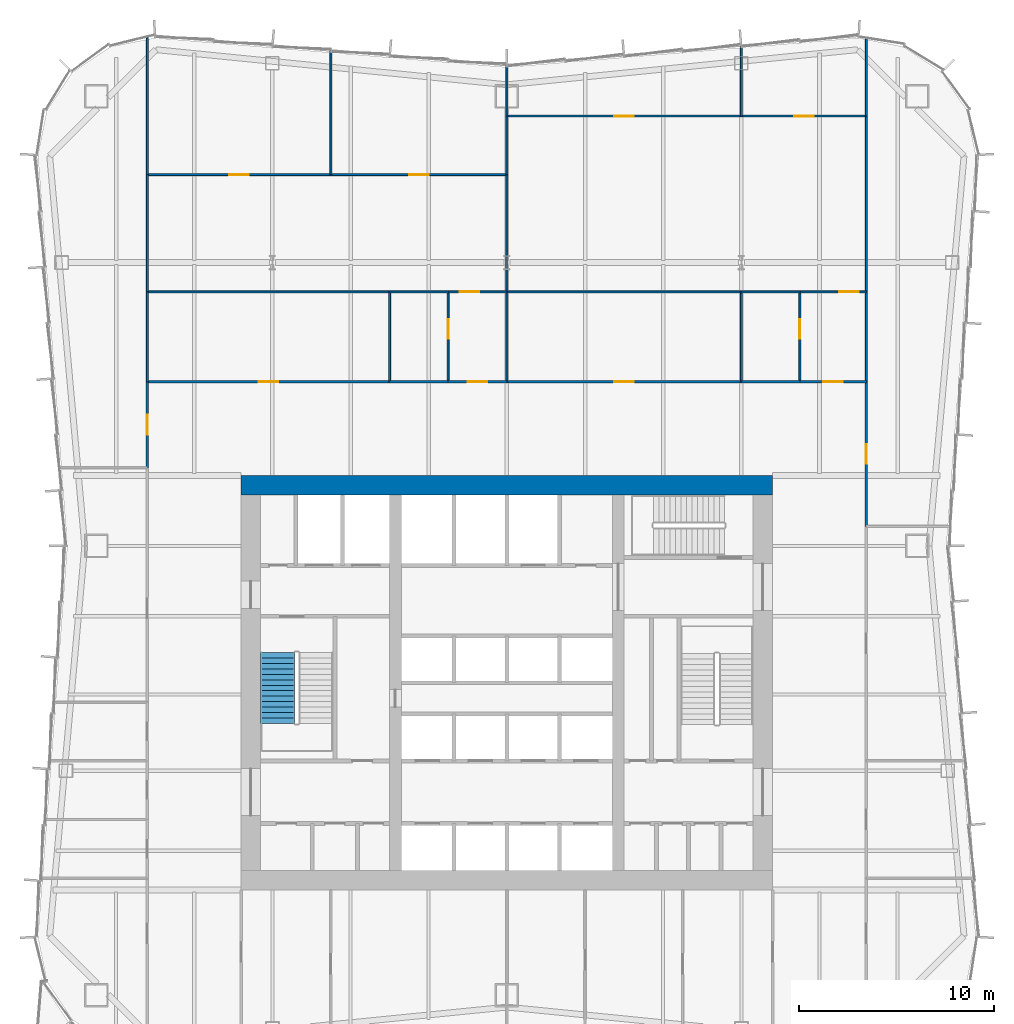
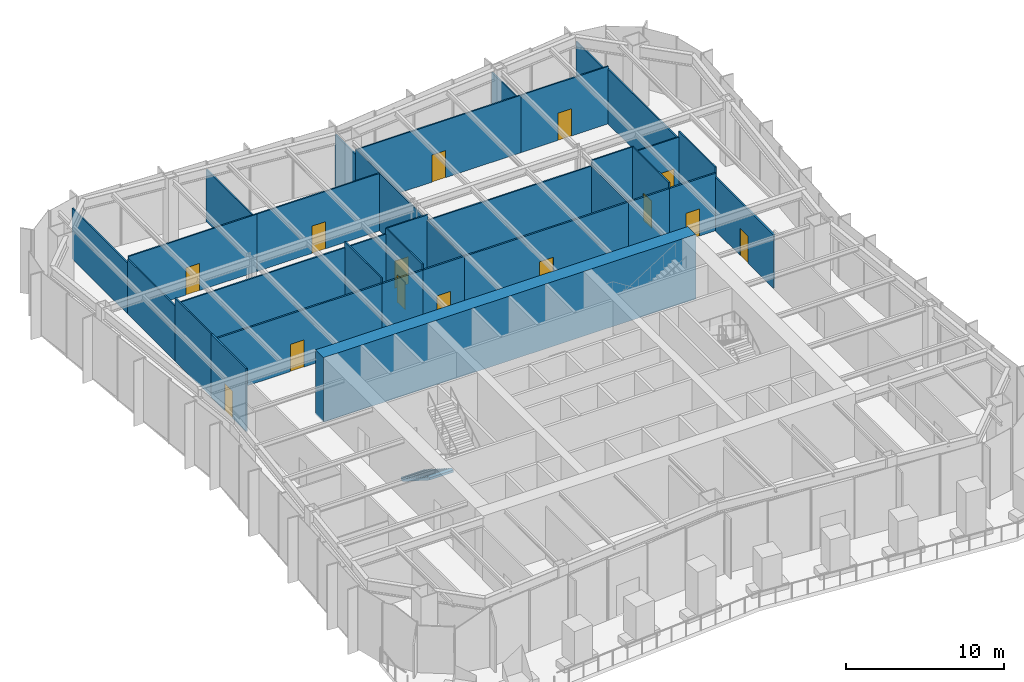
# One storey, part 11 of 15: 35 walls, 14 doors, 1 stair flight, 14 openings, 1 element without a shape of its own.
"""IFC4 building model written with IfcOpenShell, lengths in metres."""

from ifc_helpers import new_model, si_unit, direction, frame, frame_2d, origin, place, context, subcontext, project, spatial, polyline, rectangle, outline, extrude, material, layer, layer_set, type_object, element, fill, aggregate, save


model = new_model("IFC4")

# Units and contexts
model_context = context("Model", 3, precision=1e-05, world=origin(), true_north=direction((0.0, 1.0)))
body_context = subcontext(model_context, "Body", "Model", "MODEL_VIEW")
ifc_project = project(units=[si_unit("LENGTHUNIT", "METRE"), si_unit("AREAUNIT", "SQUARE_METRE"), si_unit("VOLUMEUNIT", "CUBIC_METRE"), si_unit("PLANEANGLEUNIT", "RADIAN"), si_unit("MASSUNIT", "GRAM", prefix="KILO")], contexts=[model_context])

# Site, building, storey
site_placement = place(None, origin())
site = spatial("IfcSite", under=ifc_project, at=site_placement, CompositionType="ELEMENT")
building_placement = place(site_placement, origin())
building = spatial("IfcBuilding", under=site, at=building_placement, Name="Verdant Reach Tower", CompositionType="ELEMENT")
storey_placement = place(building_placement, frame((0.0, 0.0, 121.0)))
storey = spatial("IfcBuildingStorey", under=building, at=storey_placement, Name="L27", CompositionType="ELEMENT", Elevation=121.0)

# Walls
ifc_material_1 = material(Name="Gypsum board on steel studs", Category="steel")
ifc_layer_1 = layer(ifc_material_1, 0.10009765625)
ifc_layer_set_1 = layer_set([ifc_layer_1], Name="FL-W1 Partition 100")
wall_type_1 = type_object("IfcWallType", Name="FL-W1 Partition 100", PredefinedType="PARTITIONING", material=ifc_layer_set_1)
wall_1_placement = place(storey_placement, frame((-18.39990234375, 43.39990234375, 0.0), z_axis=(0.0, 0.0, 1.0), x_axis=(0.0, 1.0, 0.0)))
element("IfcWall", 1, at=wall_1_placement, inside=storey, type_object=wall_type_1, Name="Partition 27.24", PredefinedType="PARTITIONING", context=body_context, shape_type="SweptSolid", body=[
    extrude(rectangle(XDim=4.60009765625, YDim=0.10009765625, at=frame_2d((2.300048828125, 0.0))), origin(), (0.0, 0.0, 1.0), 4.8701171875),
])
wall_2_placement = place(storey_placement, frame((-18.39990234375, 48.0, 0.0), z_axis=(0.0, 0.0, 1.0), x_axis=(0.0, 1.0, 0.0)))
element("IfcWall", 2, at=wall_2_placement, inside=storey, type_object=wall_type_1, Name="Partition 27.25", PredefinedType="PARTITIONING", context=body_context, shape_type="SweptSolid", body=[
    extrude(rectangle(XDim=6.0, YDim=0.10009765625, at=frame_2d((3.0, 0.0))), origin(), (0.0, 0.0, 1.0), 4.239990234375),
])
wall_3_placement = place(storey_placement, frame((-18.39990234375, 54.0, 0.0), z_axis=(0.0, 0.0, 1.0), x_axis=(0.0, 1.0, 0.0)))
element("IfcWall", 3, at=wall_3_placement, inside=storey, type_object=wall_type_1, Name="Partition 27.26", PredefinedType="PARTITIONING", context=body_context, shape_type="SweptSolid", body=[
    extrude(rectangle(XDim=7.00048828125, YDim=0.10009765625, at=frame_2d((3.500244140625, 0.0))), origin(), (0.0, 0.0, 1.0), 3.929931640625),
])
wall_4_placement = place(storey_placement, frame((18.39990234375, 48.0, 0.0), z_axis=(0.0, 0.0, 1.0), x_axis=(0.0, -1.0, 0.0)))
element("IfcWall", 4, at=wall_4_placement, inside=storey, type_object=wall_type_1, Name="Partition 27.30", PredefinedType="PARTITIONING", context=body_context, shape_type="SweptSolid", body=[
    extrude(rectangle(XDim=4.60009765625, YDim=0.10009765625, at=frame_2d((2.300048828125, 0.0))), origin(), (0.0, 0.0, 1.0), 4.8701171875),
])
wall_5_placement = place(storey_placement, frame((18.39990234375, 57.0, 0.0), z_axis=(0.0, 0.0, 1.0), x_axis=(0.0, -1.0, 0.0)))
element("IfcWall", 5, at=wall_5_placement, inside=storey, type_object=wall_type_1, Name="Partition 27.31", PredefinedType="PARTITIONING", context=body_context, shape_type="SweptSolid", body=[
    extrude(rectangle(XDim=9.0, YDim=0.10009765625, at=frame_2d((4.5, 0.0))), origin(), (0.0, 0.0, 1.0), 4.239990234375),
])
wall_6_placement = place(storey_placement, frame((18.39990234375, 61.00048828125, 0.0), z_axis=(0.0, 0.0, 1.0), x_axis=(0.0, -1.0, 0.0)))
element("IfcWall", 6, at=wall_6_placement, inside=storey, type_object=wall_type_1, Name="Partition 27.32", PredefinedType="PARTITIONING", context=body_context, shape_type="SweptSolid", body=[
    extrude(rectangle(XDim=4.00048828125, YDim=0.10009765625, at=frame_2d((2.000244140625, 0.0))), origin(), (0.0, 0.0, 1.0), 3.929931640625),
])
wall_7_placement = place(storey_placement, frame((-6.0, 43.39990234375, 0.0), z_axis=(0.0, 0.0, 1.0), x_axis=(0.0, 1.0, 0.0)))
element("IfcWall", 7, at=wall_7_placement, inside=storey, type_object=wall_type_1, Name="Partition 27.37", PredefinedType="PARTITIONING", context=body_context, shape_type="SweptSolid", body=[
    extrude(rectangle(XDim=4.60009765625, YDim=0.10009765625, at=frame_2d((2.300048828125, 0.0))), origin(), (0.0, 0.0, 1.0), 4.8701171875),
])
wall_8_placement = place(storey_placement, frame((-5.99609375, 48.0, 0.0), z_axis=(0.0, 0.0, 1.0), x_axis=(-1.0, 0.0, 0.0)))
element("IfcWall", 8, at=wall_8_placement, inside=storey, type_object=wall_type_1, Name="Partition 27.38", PredefinedType="PARTITIONING", context=body_context, shape_type="SweptSolid", body=[
    extrude(rectangle(XDim=12.40380859375, YDim=0.10009765625, at=frame_2d((6.201904296875, 0.0))), origin(), (0.0, 0.0, 1.0), 4.43994140625),
])

# Wall, opening, door
wall_9_placement = place(storey_placement, frame((-3.0, 43.39990234375, 0.0), z_axis=(0.0, 0.0, 1.0), x_axis=(0.0, 1.0, 0.0)))
wall_9 = element("IfcWall", 9, at=wall_9_placement, inside=storey, type_object=wall_type_1, Name="Partition 27.39", PredefinedType="PARTITIONING", context=body_context, shape_type="SweptSolid", body=[
    extrude(rectangle(XDim=4.60009765625, YDim=0.10009765625, at=frame_2d((2.300048828125, 0.0))), origin(), (0.0, 0.0, 1.0), 4.8701171875),
])
opening_1_placement = place(wall_9_placement, frame((2.199951171875, 0.0, 0.0)))
opening_1 = element("IfcOpeningElement", 10, at=opening_1_placement, cuts=wall_9, Name="Opening D3", PredefinedType="OPENING", context=body_context, shape_type="SweptSolid", body=[
    extrude(rectangle(XDim=1.0, YDim=2.10009765625, at=frame_2d((0.5, 1.050048828125))), frame((0.0, 0.06005859375, 0.0), z_axis=(0.0, -1.0, 0.0), x_axis=(1.0, 0.0, 0.0)), (0.0, 0.0, 1.0), 0.1201171875),
])
ifc_material_2 = material(Name="Painted timber door leaf", Category="wood")
door_type_1 = type_object("IfcDoorType", Name="FL-D3 Door 1000x2100", OperationType="NOTDEFINED", PredefinedType="DOOR", material=ifc_material_2)
door_1_placement = place(opening_1_placement, origin())
door_1 = element("IfcDoor", 11, at=door_1_placement, inside=storey, type_object=door_type_1, Name="Door 27-020", OperationType="SINGLE_SWING_RIGHT", OverallHeight=2.10009765625, OverallWidth=1.0, PredefinedType="DOOR", context=body_context, shape_type="SweptSolid", body=[
    extrude(rectangle(XDim=1.0, YDim=2.10009765625, at=frame_2d((0.5, 1.050048828125))), frame((0.0, 0.02490234375, 0.0), z_axis=(0.0, -1.0, 0.0), x_axis=(1.0, 0.0, 0.0)), (0.0, 0.0, 1.0), 0.050048828125),
])
fill(opening_1, door_1)

# Wall
wall_10_placement = place(storey_placement, frame((-2.99609375, 48.0, 0.0), z_axis=(0.0, 0.0, 1.0), x_axis=(-1.0, 0.0, 0.0)))
element("IfcWall", 12, at=wall_10_placement, inside=storey, type_object=wall_type_1, Name="Partition 27.40", PredefinedType="PARTITIONING", context=body_context, shape_type="SweptSolid", body=[
    extrude(rectangle(XDim=3.0078125, YDim=0.10009765625, at=frame_2d((1.50390625, 0.0))), origin(), (0.0, 0.0, 1.0), 4.43994140625),
])

# Wall, opening, door
wall_11_placement = place(storey_placement, frame((-3.00390625, 48.0, 0.0), z_axis=(0.0, 0.0, 1.0), x_axis=(1.0, 0.0, 0.0)))
wall_11 = element("IfcWall", 13, at=wall_11_placement, inside=storey, type_object=wall_type_1, Name="Partition 27.41", PredefinedType="PARTITIONING", context=body_context, shape_type="SweptSolid", body=[
    extrude(rectangle(XDim=3.00390625, YDim=0.10009765625, at=frame_2d((1.501953125, 0.0))), origin(), (0.0, 0.0, 1.0), 4.8701171875),
])
opening_2_placement = place(wall_11_placement, frame((0.60205078125, 0.0, 0.0)))
opening_2 = element("IfcOpeningElement", 14, at=opening_2_placement, cuts=wall_11, Name="Opening D3", PredefinedType="OPENING", context=body_context, shape_type="SweptSolid", body=[
    extrude(rectangle(XDim=1.0, YDim=2.10009765625, at=frame_2d((0.5, 1.050048828125))), frame((0.0, 0.06005859375, 0.0), z_axis=(0.0, -1.0, 0.0), x_axis=(1.0, 0.0, 0.0)), (0.0, 0.0, 1.0), 0.1201171875),
])
door_2_placement = place(opening_2_placement, origin())
door_2 = element("IfcDoor", 15, at=door_2_placement, inside=storey, type_object=door_type_1, Name="Door 27-021", OperationType="SINGLE_SWING_LEFT", OverallHeight=2.10009765625, OverallWidth=1.0, PredefinedType="DOOR", context=body_context, shape_type="SweptSolid", body=[
    extrude(rectangle(XDim=1.0, YDim=2.10009765625, at=frame_2d((0.5, 1.050048828125))), frame((0.0, 0.02490234375, 0.0), z_axis=(0.0, -1.0, 0.0), x_axis=(1.0, 0.0, 0.0)), (0.0, 0.0, 1.0), 0.050048828125),
])
fill(opening_2, door_2)

# Wall
wall_12_placement = place(storey_placement, frame((0.0, 43.39990234375, 0.0), z_axis=(0.0, 0.0, 1.0), x_axis=(0.0, 1.0, 0.0)))
element("IfcWall", 16, at=wall_12_placement, inside=storey, type_object=wall_type_1, Name="Partition 27.42", PredefinedType="PARTITIONING", context=body_context, shape_type="SweptSolid", body=[
    extrude(rectangle(XDim=4.60009765625, YDim=0.10009765625, at=frame_2d((2.300048828125, 0.0))), origin(), (0.0, 0.0, 1.0), 4.43994140625),
])

# Wall, opening, door
wall_13_placement = place(storey_placement, frame((-18.39990234375, 54.0, 0.0), z_axis=(0.0, 0.0, 1.0), x_axis=(1.0, 0.0, 0.0)))
wall_13 = element("IfcWall", 17, at=wall_13_placement, inside=storey, type_object=wall_type_1, Name="Partition 27.43", PredefinedType="PARTITIONING", context=body_context, shape_type="SweptSolid", body=[
    extrude(rectangle(XDim=9.39990234375, YDim=0.10009765625, at=frame_2d((4.699951171875, 0.0))), origin(), (0.0, 0.0, 1.0), 4.43994140625),
])
opening_3_placement = place(wall_13_placement, frame((4.199951171875, 0.0, 0.0)))
opening_3 = element("IfcOpeningElement", 18, at=opening_3_placement, cuts=wall_13, Name="Opening D3", PredefinedType="OPENING", context=body_context, shape_type="SweptSolid", body=[
    extrude(rectangle(XDim=1.0, YDim=2.10009765625, at=frame_2d((0.5, 1.050048828125))), frame((0.0, 0.06005859375, 0.0), z_axis=(0.0, -1.0, 0.0), x_axis=(1.0, 0.0, 0.0)), (0.0, 0.0, 1.0), 0.1201171875),
])
door_3_placement = place(opening_3_placement, origin())
door_3 = element("IfcDoor", 19, at=door_3_placement, inside=storey, type_object=door_type_1, Name="Door 27-022", OperationType="SINGLE_SWING_RIGHT", OverallHeight=2.10009765625, OverallWidth=1.0, PredefinedType="DOOR", context=body_context, shape_type="SweptSolid", body=[
    extrude(rectangle(XDim=1.0, YDim=2.10009765625, at=frame_2d((0.5, 1.050048828125))), frame((0.0, 0.02490234375, 0.0), z_axis=(0.0, -1.0, 0.0), x_axis=(1.0, 0.0, 0.0)), (0.0, 0.0, 1.0), 0.050048828125),
])
fill(opening_3, door_3)

wall_14_placement = place(storey_placement, frame((-9.0, 54.0, 0.0), z_axis=(0.0, 0.0, 1.0), x_axis=(1.0, 0.0, 0.0)))
wall_14 = element("IfcWall", 20, at=wall_14_placement, inside=storey, type_object=wall_type_1, Name="Partition 27.44", PredefinedType="PARTITIONING", context=body_context, shape_type="SweptSolid", body=[
    extrude(rectangle(XDim=9.0, YDim=0.10009765625, at=frame_2d((4.5, 0.0))), origin(), (0.0, 0.0, 1.0), 4.43994140625),
])
opening_4_placement = place(wall_14_placement, frame((4.0, 0.0, 0.0)))
opening_4 = element("IfcOpeningElement", 21, at=opening_4_placement, cuts=wall_14, Name="Opening D3", PredefinedType="OPENING", context=body_context, shape_type="SweptSolid", body=[
    extrude(rectangle(XDim=1.0, YDim=2.10009765625, at=frame_2d((0.5, 1.050048828125))), frame((0.0, 0.06005859375, 0.0), z_axis=(0.0, -1.0, 0.0), x_axis=(1.0, 0.0, 0.0)), (0.0, 0.0, 1.0), 0.1201171875),
])
door_4_placement = place(opening_4_placement, origin())
door_4 = element("IfcDoor", 22, at=door_4_placement, inside=storey, type_object=door_type_1, Name="Door 27-023", OperationType="SINGLE_SWING_LEFT", OverallHeight=2.10009765625, OverallWidth=1.0, PredefinedType="DOOR", context=body_context, shape_type="SweptSolid", body=[
    extrude(rectangle(XDim=1.0, YDim=2.10009765625, at=frame_2d((0.5, 1.050048828125))), frame((0.0, 0.02490234375, 0.0), z_axis=(0.0, -1.0, 0.0), x_axis=(1.0, 0.0, 0.0)), (0.0, 0.0, 1.0), 0.050048828125),
])
fill(opening_4, door_4)

# Walls
wall_15_placement = place(storey_placement, frame((0.0, 48.0, 0.0), z_axis=(0.0, 0.0, 1.0), x_axis=(0.0, 1.0, 0.0)))
element("IfcWall", 23, at=wall_15_placement, inside=storey, type_object=wall_type_1, Name="Partition 27.45", PredefinedType="PARTITIONING", context=body_context, shape_type="SweptSolid", body=[
    extrude(rectangle(XDim=6.00390625, YDim=0.10009765625, at=frame_2d((3.001953125, 0.0))), origin(), (0.0, 0.0, 1.0), 4.43994140625),
])
wall_16_placement = place(storey_placement, frame((-9.0, 54.0, 0.0), z_axis=(0.0, 0.0, 1.0), x_axis=(0.0, 1.0, 0.0)))
element("IfcWall", 24, at=wall_16_placement, inside=storey, type_object=wall_type_1, Name="Partition 27.46", PredefinedType="PARTITIONING", context=body_context, shape_type="SweptSolid", body=[
    extrude(rectangle(XDim=6.330078125, YDim=0.10009765625, at=frame_2d((3.1650390625, 0.0))), origin(), (0.0, 0.0, 1.0), 4.0400390625),
])
wall_17_placement = place(storey_placement, frame((0.0, 53.99609375, 0.0), z_axis=(0.0, 0.0, 1.0), x_axis=(0.0, 1.0, 0.0)))
element("IfcWall", 25, at=wall_17_placement, inside=storey, type_object=wall_type_1, Name="Partition 27.47", PredefinedType="PARTITIONING", context=body_context, shape_type="SweptSolid", body=[
    extrude(rectangle(XDim=3.00390625, YDim=0.10009765625, at=frame_2d((1.501953125, 0.0))), origin(), (0.0, 0.0, 1.0), 4.47998046875),
])
wall_18_placement = place(storey_placement, frame((0.0, 57.0, 0.0), z_axis=(0.0, 0.0, 1.0), x_axis=(0.0, 1.0, 0.0)))
element("IfcWall", 26, at=wall_18_placement, inside=storey, type_object=wall_type_1, Name="Partition 27.48", PredefinedType="PARTITIONING", context=body_context, shape_type="SweptSolid", body=[
    extrude(rectangle(XDim=2.580078125, YDim=0.10009765625, at=frame_2d((1.2900390625, 0.0))), origin(), (0.0, 0.0, 1.0), 4.0400390625),
])
wall_19_placement = place(storey_placement, frame((12.0, 43.39990234375, 0.0), z_axis=(0.0, 0.0, 1.0), x_axis=(0.0, 1.0, 0.0)))
element("IfcWall", 27, at=wall_19_placement, inside=storey, type_object=wall_type_1, Name="Partition 27.49", PredefinedType="PARTITIONING", context=body_context, shape_type="SweptSolid", body=[
    extrude(rectangle(XDim=4.60009765625, YDim=0.10009765625, at=frame_2d((2.300048828125, 0.0))), origin(), (0.0, 0.0, 1.0), 4.43994140625),
])
wall_20_placement = place(storey_placement, frame((12.00390625, 48.0, 0.0), z_axis=(0.0, 0.0, 1.0), x_axis=(-1.0, 0.0, 0.0)))
element("IfcWall", 28, at=wall_20_placement, inside=storey, type_object=wall_type_1, Name="Partition 27.50", PredefinedType="PARTITIONING", context=body_context, shape_type="SweptSolid", body=[
    extrude(rectangle(XDim=12.00390625, YDim=0.10009765625, at=frame_2d((6.001953125, 0.0))), origin(), (0.0, 0.0, 1.0), 4.43994140625),
])

# Wall, opening, door
wall_21_placement = place(storey_placement, frame((15.0, 43.39990234375, 0.0), z_axis=(0.0, 0.0, 1.0), x_axis=(0.0, 1.0, 0.0)))
wall_21 = element("IfcWall", 29, at=wall_21_placement, inside=storey, type_object=wall_type_1, Name="Partition 27.51", PredefinedType="PARTITIONING", context=body_context, shape_type="SweptSolid", body=[
    extrude(rectangle(XDim=4.60009765625, YDim=0.10009765625, at=frame_2d((2.300048828125, 0.0))), origin(), (0.0, 0.0, 1.0), 4.8701171875),
])
opening_5_placement = place(wall_21_placement, frame((2.199951171875, 0.0, 0.0)))
opening_5 = element("IfcOpeningElement", 30, at=opening_5_placement, cuts=wall_21, Name="Opening D3", PredefinedType="OPENING", context=body_context, shape_type="SweptSolid", body=[
    extrude(rectangle(XDim=1.0, YDim=2.10009765625, at=frame_2d((0.5, 1.050048828125))), frame((0.0, 0.06005859375, 0.0), z_axis=(0.0, -1.0, 0.0), x_axis=(1.0, 0.0, 0.0)), (0.0, 0.0, 1.0), 0.1201171875),
])
door_5_placement = place(opening_5_placement, origin())
door_5 = element("IfcDoor", 31, at=door_5_placement, inside=storey, type_object=door_type_1, Name="Door 27-024", OperationType="SINGLE_SWING_RIGHT", OverallHeight=2.10009765625, OverallWidth=1.0, PredefinedType="DOOR", context=body_context, shape_type="SweptSolid", body=[
    extrude(rectangle(XDim=1.0, YDim=2.10009765625, at=frame_2d((0.5, 1.050048828125))), frame((0.0, 0.02490234375, 0.0), z_axis=(0.0, -1.0, 0.0), x_axis=(1.0, 0.0, 0.0)), (0.0, 0.0, 1.0), 0.050048828125),
])
fill(opening_5, door_5)

# Wall
wall_22_placement = place(storey_placement, frame((15.00390625, 48.0, 0.0), z_axis=(0.0, 0.0, 1.0), x_axis=(-1.0, 0.0, 0.0)))
element("IfcWall", 32, at=wall_22_placement, inside=storey, type_object=wall_type_1, Name="Partition 27.52", PredefinedType="PARTITIONING", context=body_context, shape_type="SweptSolid", body=[
    extrude(rectangle(XDim=3.0078125, YDim=0.10009765625, at=frame_2d((1.50390625, 0.0))), origin(), (0.0, 0.0, 1.0), 4.8701171875),
])

# Wall, opening, door
wall_23_placement = place(storey_placement, frame((14.99609375, 48.0, 0.0), z_axis=(0.0, 0.0, 1.0), x_axis=(1.0, 0.0, 0.0)))
wall_23 = element("IfcWall", 33, at=wall_23_placement, inside=storey, type_object=wall_type_1, Name="Partition 27.53", PredefinedType="PARTITIONING", context=body_context, shape_type="SweptSolid", body=[
    extrude(rectangle(XDim=3.40380859375, YDim=0.10009765625, at=frame_2d((1.701904296875, 0.0))), origin(), (0.0, 0.0, 1.0), 4.43994140625),
])
opening_6_placement = place(wall_23_placement, frame((2.001953125, 0.0, 0.0)))
opening_6 = element("IfcOpeningElement", 34, at=opening_6_placement, cuts=wall_23, Name="Opening D3", PredefinedType="OPENING", context=body_context, shape_type="SweptSolid", body=[
    extrude(rectangle(XDim=1.0, YDim=2.10009765625, at=frame_2d((0.5, 1.050048828125))), frame((0.0, 0.06005859375, 0.0), z_axis=(0.0, -1.0, 0.0), x_axis=(1.0, 0.0, 0.0)), (0.0, 0.0, 1.0), 0.1201171875),
])
door_6_placement = place(opening_6_placement, origin())
door_6 = element("IfcDoor", 35, at=door_6_placement, inside=storey, type_object=door_type_1, Name="Door 27-025", OperationType="SINGLE_SWING_RIGHT", OverallHeight=2.10009765625, OverallWidth=1.0, PredefinedType="DOOR", context=body_context, shape_type="SweptSolid", body=[
    extrude(rectangle(XDim=1.0, YDim=2.10009765625, at=frame_2d((0.5, 1.050048828125))), frame((0.0, 0.02490234375, 0.0), z_axis=(0.0, -1.0, 0.0), x_axis=(1.0, 0.0, 0.0)), (0.0, 0.0, 1.0), 0.050048828125),
])
fill(opening_6, door_6)

wall_24_placement = place(storey_placement, frame((0.0, 57.0, 0.0), z_axis=(0.0, 0.0, 1.0), x_axis=(1.0, 0.0, 0.0)))
wall_24 = element("IfcWall", 36, at=wall_24_placement, inside=storey, type_object=wall_type_1, Name="Partition 27.54", PredefinedType="PARTITIONING", context=body_context, shape_type="SweptSolid", body=[
    extrude(rectangle(XDim=12.0, YDim=0.10009765625, at=frame_2d((6.0, 0.0))), origin(), (0.0, 0.0, 1.0), 4.43994140625),
])
opening_7_placement = place(wall_24_placement, frame((5.5, 0.0, 0.0)))
opening_7 = element("IfcOpeningElement", 37, at=opening_7_placement, cuts=wall_24, Name="Opening D3", PredefinedType="OPENING", context=body_context, shape_type="SweptSolid", body=[
    extrude(rectangle(XDim=1.0, YDim=2.10009765625, at=frame_2d((0.5, 1.050048828125))), frame((0.0, 0.06005859375, 0.0), z_axis=(0.0, -1.0, 0.0), x_axis=(1.0, 0.0, 0.0)), (0.0, 0.0, 1.0), 0.1201171875),
])
door_7_placement = place(opening_7_placement, origin())
door_7 = element("IfcDoor", 38, at=door_7_placement, inside=storey, type_object=door_type_1, Name="Door 27-026", OperationType="SINGLE_SWING_RIGHT", OverallHeight=2.10009765625, OverallWidth=1.0, PredefinedType="DOOR", context=body_context, shape_type="SweptSolid", body=[
    extrude(rectangle(XDim=1.0, YDim=2.10009765625, at=frame_2d((0.5, 1.050048828125))), frame((0.0, 0.02490234375, 0.0), z_axis=(0.0, -1.0, 0.0), x_axis=(1.0, 0.0, 0.0)), (0.0, 0.0, 1.0), 0.050048828125),
])
fill(opening_7, door_7)

wall_25_placement = place(storey_placement, frame((12.0, 57.0, 0.0), z_axis=(0.0, 0.0, 1.0), x_axis=(1.0, 0.0, 0.0)))
wall_25 = element("IfcWall", 39, at=wall_25_placement, inside=storey, type_object=wall_type_1, Name="Partition 27.55", PredefinedType="PARTITIONING", context=body_context, shape_type="SweptSolid", body=[
    extrude(rectangle(XDim=6.39990234375, YDim=0.10009765625, at=frame_2d((3.199951171875, 0.0))), origin(), (0.0, 0.0, 1.0), 4.43994140625),
])
opening_8_placement = place(wall_25_placement, frame((2.699951171875, 0.0, 0.0)))
opening_8 = element("IfcOpeningElement", 40, at=opening_8_placement, cuts=wall_25, Name="Opening D3", PredefinedType="OPENING", context=body_context, shape_type="SweptSolid", body=[
    extrude(rectangle(XDim=1.0, YDim=2.10009765625, at=frame_2d((0.5, 1.050048828125))), frame((0.0, 0.06005859375, 0.0), z_axis=(0.0, -1.0, 0.0), x_axis=(1.0, 0.0, 0.0)), (0.0, 0.0, 1.0), 0.1201171875),
])
door_8_placement = place(opening_8_placement, origin())
door_8 = element("IfcDoor", 41, at=door_8_placement, inside=storey, type_object=door_type_1, Name="Door 27-027", OperationType="SINGLE_SWING_LEFT", OverallHeight=2.10009765625, OverallWidth=1.0, PredefinedType="DOOR", context=body_context, shape_type="SweptSolid", body=[
    extrude(rectangle(XDim=1.0, YDim=2.10009765625, at=frame_2d((0.5, 1.050048828125))), frame((0.0, 0.02490234375, 0.0), z_axis=(0.0, -1.0, 0.0), x_axis=(1.0, 0.0, 0.0)), (0.0, 0.0, 1.0), 0.050048828125),
])
fill(opening_8, door_8)

# Wall
wall_26_placement = place(storey_placement, frame((12.0, 57.0, 0.0), z_axis=(0.0, 0.0, 1.0), x_axis=(0.0, 1.0, 0.0)))
element("IfcWall", 42, at=wall_26_placement, inside=storey, type_object=wall_type_1, Name="Partition 27.56", PredefinedType="PARTITIONING", context=body_context, shape_type="SweptSolid", body=[
    extrude(rectangle(XDim=3.580078125, YDim=0.10009765625, at=frame_2d((1.7900390625, 0.0))), origin(), (0.0, 0.0, 1.0), 4.0400390625),
])

# Wall, opening, door
ifc_material_3 = material(Name="Gypsum board on steel studs, fire rated", Category="steel")
ifc_layer_2 = layer(ifc_material_3, 0.125)
ifc_layer_set_2 = layer_set([ifc_layer_2], Name="FL-W2 Corridor wall 125")
wall_type_2 = type_object("IfcWallType", Name="FL-W2 Corridor wall 125", PredefinedType="PARTITIONING", material=ifc_layer_set_2)
wall_27_placement = place(storey_placement, frame((-18.39990234375, 39.0, 0.0), z_axis=(0.0, 0.0, 1.0), x_axis=(0.0, 1.0, 0.0)))
wall_27 = element("IfcWall", 43, at=wall_27_placement, inside=storey, type_object=wall_type_2, Name="Partition 27.06", PredefinedType="PARTITIONING", context=body_context, shape_type="SweptSolid", body=[
    extrude(rectangle(XDim=4.404052734375, YDim=0.125, at=frame_2d((2.2021484375, 0.0))), origin(), (0.0, 0.0, 1.0), 4.8701171875),
])
opening_9_placement = place(wall_27_placement, frame((1.701904296875, 0.0, 0.0)))
opening_9 = element("IfcOpeningElement", 44, at=opening_9_placement, cuts=wall_27, Name="Opening D2", PredefinedType="OPENING", context=body_context, shape_type="SweptSolid", body=[
    extrude(rectangle(XDim=1.0, YDim=2.10009765625, at=frame_2d((0.5, 1.050048828125))), frame((0.0, 0.072509765625, 0.0), z_axis=(0.0, -1.0, 0.0), x_axis=(1.0, 0.0, 0.0)), (0.0, 0.0, 1.0), 0.14501953125),
])
ifc_material_4 = material(Name="Timber door leaf, fire rated", Category="wood")
door_type_2 = type_object("IfcDoorType", Name="FL-D2 Entrance door 1000x2100 FD30", OperationType="NOTDEFINED", PredefinedType="DOOR", material=ifc_material_4)
door_9_placement = place(opening_9_placement, origin())
door_9 = element("IfcDoor", 45, at=door_9_placement, inside=storey, type_object=door_type_2, Name="Door 27-006", OperationType="SINGLE_SWING_RIGHT", OverallHeight=2.10009765625, OverallWidth=1.0, PredefinedType="DOOR", context=body_context, shape_type="SweptSolid", body=[
    extrude(rectangle(XDim=1.0, YDim=2.10009765625, at=frame_2d((0.5, 1.050048828125))), frame((0.0, 0.02490234375, 0.0), z_axis=(0.0, -1.0, 0.0), x_axis=(1.0, 0.0, 0.0)), (0.0, 0.0, 1.0), 0.050048828125),
])
fill(opening_9, door_9)

wall_28_placement = place(storey_placement, frame((18.39990234375, 43.404052734375, 0.0), z_axis=(0.0, 0.0, 1.0), x_axis=(0.0, -1.0, 0.0)))
wall_28 = element("IfcWall", 46, at=wall_28_placement, inside=storey, type_object=wall_type_2, Name="Partition 27.10", PredefinedType="PARTITIONING", context=body_context, shape_type="SweptSolid", body=[
    extrude(rectangle(XDim=7.404052734375, YDim=0.125, at=frame_2d((3.7021484375, 0.0))), origin(), (0.0, 0.0, 1.0), 4.139892578125),
])
opening_10_placement = place(wall_28_placement, frame((3.201904296875, 0.0, 0.0)))
opening_10 = element("IfcOpeningElement", 47, at=opening_10_placement, cuts=wall_28, Name="Opening D2", PredefinedType="OPENING", context=body_context, shape_type="SweptSolid", body=[
    extrude(rectangle(XDim=1.0, YDim=2.10009765625, at=frame_2d((0.5, 1.050048828125))), frame((0.0, 0.072509765625, 0.0), z_axis=(0.0, -1.0, 0.0), x_axis=(1.0, 0.0, 0.0)), (0.0, 0.0, 1.0), 0.14501953125),
])
door_10_placement = place(opening_10_placement, origin())
door_10 = element("IfcDoor", 48, at=door_10_placement, inside=storey, type_object=door_type_2, Name="Door 27-010", OperationType="SINGLE_SWING_RIGHT", OverallHeight=2.10009765625, OverallWidth=1.0, PredefinedType="DOOR", context=body_context, shape_type="SweptSolid", body=[
    extrude(rectangle(XDim=1.0, YDim=2.10009765625, at=frame_2d((0.5, 1.050048828125))), frame((0.0, 0.02490234375, 0.0), z_axis=(0.0, -1.0, 0.0), x_axis=(1.0, 0.0, 0.0)), (0.0, 0.0, 1.0), 0.050048828125),
])
fill(opening_10, door_10)

wall_29_placement = place(storey_placement, frame((-18.39990234375, 43.39990234375, 0.0), z_axis=(0.0, 0.0, 1.0), x_axis=(1.0, 0.0, 0.0)))
wall_29 = element("IfcWall", 49, at=wall_29_placement, inside=storey, type_object=wall_type_2, Name="Partition 27.13", PredefinedType="PARTITIONING", context=body_context, shape_type="SweptSolid", body=[
    extrude(rectangle(XDim=12.39990234375, YDim=0.125, at=frame_2d((6.199951171875, 0.0))), origin(), (0.0, 0.0, 1.0), 4.43994140625),
])
opening_11_placement = place(wall_29_placement, frame((5.699951171875, 0.0, 0.0)))
opening_11 = element("IfcOpeningElement", 50, at=opening_11_placement, cuts=wall_29, Name="Opening D2", PredefinedType="OPENING", context=body_context, shape_type="SweptSolid", body=[
    extrude(rectangle(XDim=1.0, YDim=2.10009765625, at=frame_2d((0.5, 1.050048828125))), frame((0.0, 0.072509765625, 0.0), z_axis=(0.0, -1.0, 0.0), x_axis=(1.0, 0.0, 0.0)), (0.0, 0.0, 1.0), 0.14501953125),
])
door_11_placement = place(opening_11_placement, origin())
door_11 = element("IfcDoor", 51, at=door_11_placement, inside=storey, type_object=door_type_2, Name="Door 27-013", OperationType="SINGLE_SWING_LEFT", OverallHeight=2.10009765625, OverallWidth=1.0, PredefinedType="DOOR", context=body_context, shape_type="SweptSolid", body=[
    extrude(rectangle(XDim=1.0, YDim=2.10009765625, at=frame_2d((0.5, 1.050048828125))), frame((0.0, 0.02490234375, 0.0), z_axis=(0.0, -1.0, 0.0), x_axis=(1.0, 0.0, 0.0)), (0.0, 0.0, 1.0), 0.050048828125),
])
fill(opening_11, door_11)

# Wall
wall_30_placement = place(storey_placement, frame((-3.0, 43.39990234375, 0.0), z_axis=(0.0, 0.0, 1.0), x_axis=(-1.0, 0.0, 0.0)))
element("IfcWall", 52, at=wall_30_placement, inside=storey, type_object=wall_type_2, Name="Partition 27.14", PredefinedType="PARTITIONING", context=body_context, shape_type="SweptSolid", body=[
    extrude(rectangle(XDim=3.0, YDim=0.125, at=frame_2d((1.5, 0.0))), origin(), (0.0, 0.0, 1.0), 4.43994140625),
])

# Wall, opening, door
wall_31_placement = place(storey_placement, frame((-3.0, 43.39990234375, 0.0), z_axis=(0.0, 0.0, 1.0), x_axis=(1.0, 0.0, 0.0)))
wall_31 = element("IfcWall", 53, at=wall_31_placement, inside=storey, type_object=wall_type_2, Name="Partition 27.15", PredefinedType="PARTITIONING", context=body_context, shape_type="SweptSolid", body=[
    extrude(rectangle(XDim=3.0, YDim=0.125, at=frame_2d((1.5, 0.0))), origin(), (0.0, 0.0, 1.0), 4.43994140625),
])
opening_12_placement = place(wall_31_placement, frame((1.0, 0.0, 0.0)))
opening_12 = element("IfcOpeningElement", 54, at=opening_12_placement, cuts=wall_31, Name="Opening D2", PredefinedType="OPENING", context=body_context, shape_type="SweptSolid", body=[
    extrude(rectangle(XDim=1.0, YDim=2.10009765625, at=frame_2d((0.5, 1.050048828125))), frame((0.0, 0.072509765625, 0.0), z_axis=(0.0, -1.0, 0.0), x_axis=(1.0, 0.0, 0.0)), (0.0, 0.0, 1.0), 0.14501953125),
])
door_12_placement = place(opening_12_placement, origin())
door_12 = element("IfcDoor", 55, at=door_12_placement, inside=storey, type_object=door_type_2, Name="Door 27-014", OperationType="SINGLE_SWING_RIGHT", OverallHeight=2.10009765625, OverallWidth=1.0, PredefinedType="DOOR", context=body_context, shape_type="SweptSolid", body=[
    extrude(rectangle(XDim=1.0, YDim=2.10009765625, at=frame_2d((0.5, 1.050048828125))), frame((0.0, 0.02490234375, 0.0), z_axis=(0.0, -1.0, 0.0), x_axis=(1.0, 0.0, 0.0)), (0.0, 0.0, 1.0), 0.050048828125),
])
fill(opening_12, door_12)

wall_32_placement = place(storey_placement, frame((0.0, 43.39990234375, 0.0), z_axis=(0.0, 0.0, 1.0), x_axis=(1.0, 0.0, 0.0)))
wall_32 = element("IfcWall", 56, at=wall_32_placement, inside=storey, type_object=wall_type_2, Name="Partition 27.16", PredefinedType="PARTITIONING", context=body_context, shape_type="SweptSolid", body=[
    extrude(rectangle(XDim=12.0, YDim=0.125, at=frame_2d((6.0, 0.0))), origin(), (0.0, 0.0, 1.0), 4.43994140625),
])
opening_13_placement = place(wall_32_placement, frame((5.5, 0.0, 0.0)))
opening_13 = element("IfcOpeningElement", 57, at=opening_13_placement, cuts=wall_32, Name="Opening D2", PredefinedType="OPENING", context=body_context, shape_type="SweptSolid", body=[
    extrude(rectangle(XDim=1.0, YDim=2.10009765625, at=frame_2d((0.5, 1.050048828125))), frame((0.0, 0.072509765625, 0.0), z_axis=(0.0, -1.0, 0.0), x_axis=(1.0, 0.0, 0.0)), (0.0, 0.0, 1.0), 0.14501953125),
])
door_13_placement = place(opening_13_placement, origin())
door_13 = element("IfcDoor", 58, at=door_13_placement, inside=storey, type_object=door_type_2, Name="Door 27-015", OperationType="SINGLE_SWING_LEFT", OverallHeight=2.10009765625, OverallWidth=1.0, PredefinedType="DOOR", context=body_context, shape_type="SweptSolid", body=[
    extrude(rectangle(XDim=1.0, YDim=2.10009765625, at=frame_2d((0.5, 1.050048828125))), frame((0.0, 0.02490234375, 0.0), z_axis=(0.0, -1.0, 0.0), x_axis=(1.0, 0.0, 0.0)), (0.0, 0.0, 1.0), 0.050048828125),
])
fill(opening_13, door_13)

# Wall
wall_33_placement = place(storey_placement, frame((15.0, 43.39990234375, 0.0), z_axis=(0.0, 0.0, 1.0), x_axis=(-1.0, 0.0, 0.0)))
element("IfcWall", 59, at=wall_33_placement, inside=storey, type_object=wall_type_2, Name="Partition 27.17", PredefinedType="PARTITIONING", context=body_context, shape_type="SweptSolid", body=[
    extrude(rectangle(XDim=3.0, YDim=0.125, at=frame_2d((1.5, 0.0))), origin(), (0.0, 0.0, 1.0), 4.43994140625),
])

# Wall, opening, door
wall_34_placement = place(storey_placement, frame((15.0, 43.39990234375, 0.0), z_axis=(0.0, 0.0, 1.0), x_axis=(1.0, 0.0, 0.0)))
wall_34 = element("IfcWall", 60, at=wall_34_placement, inside=storey, type_object=wall_type_2, Name="Partition 27.18", PredefinedType="PARTITIONING", context=body_context, shape_type="SweptSolid", body=[
    extrude(rectangle(XDim=3.39990234375, YDim=0.125, at=frame_2d((1.699951171875, 0.0))), origin(), (0.0, 0.0, 1.0), 4.43994140625),
])
opening_14_placement = place(wall_34_placement, frame((1.199951171875, 0.0, 0.0)))
opening_14 = element("IfcOpeningElement", 61, at=opening_14_placement, cuts=wall_34, Name="Opening D2", PredefinedType="OPENING", context=body_context, shape_type="SweptSolid", body=[
    extrude(rectangle(XDim=1.0, YDim=2.10009765625, at=frame_2d((0.5, 1.050048828125))), frame((0.0, 0.072509765625, 0.0), z_axis=(0.0, -1.0, 0.0), x_axis=(1.0, 0.0, 0.0)), (0.0, 0.0, 1.0), 0.14501953125),
])
door_14_placement = place(opening_14_placement, origin())
door_14 = element("IfcDoor", 62, at=door_14_placement, inside=storey, type_object=door_type_2, Name="Door 27-016", OperationType="SINGLE_SWING_RIGHT", OverallHeight=2.10009765625, OverallWidth=1.0, PredefinedType="DOOR", context=body_context, shape_type="SweptSolid", body=[
    extrude(rectangle(XDim=1.0, YDim=2.10009765625, at=frame_2d((0.5, 1.050048828125))), frame((0.0, 0.02490234375, 0.0), z_axis=(0.0, -1.0, 0.0), x_axis=(1.0, 0.0, 0.0)), (0.0, 0.0, 1.0), 0.050048828125),
])
fill(opening_14, door_14)

# Wall
ifc_material_5 = material(Name="Concrete C70/85", Category="concrete")
ifc_layer_3 = layer(ifc_material_5, 1.0)
ifc_layer_set_3 = layer_set([ifc_layer_3], Name="ST-CORE-WALL-1000")
wall_type_3 = type_object("IfcWallType", Name="ST-CORE-WALL-1000", PredefinedType="SHEAR", material=ifc_layer_set_3)
wall_35_placement = place(storey_placement, frame((-13.60009765625, 38.10009765625, -0.1298828125), z_axis=(0.0, 0.0, 1.0), x_axis=(1.0, 0.0, 0.0)))
element("IfcWall", 63, at=wall_35_placement, inside=storey, type_object=wall_type_3, Name="Core wall N, L27", PredefinedType="SHEAR", context=body_context, shape_type="SweptSolid", body=[
    extrude(rectangle(XDim=27.2001953125, YDim=1.0, at=frame_2d((13.60009765625, 0.0))), origin(), (0.0, 0.0, 1.0), 5.0),
])

# Stair, stair flight
ifc_material_6 = material(Name="Concrete C40/50", Category="concrete")
stair_type = type_object("IfcStairType", Name="CO-STAIR", PredefinedType="HALF_TURN_STAIR", material=ifc_material_6)
stair_placement = place(storey_placement, origin())
stair = element("IfcStair", 64, at=stair_placement, inside=storey, type_object=stair_type, Name="L27 Exit stair 1", PredefinedType="HALF_TURN_STAIR")
stair_flight_type = type_object("IfcStairFlightType", Name="CO-STAIR-FLIGHT", PredefinedType="STRAIGHT", material=ifc_material_6)
stair_flight_placement = place(storey_placement, frame((-11.72509765625, 29.550048828125, 0.0), z_axis=(0.0, 0.0, 1.0), x_axis=(0.0, -1.0, 0.0)))
stair_flight = element("IfcStairFlight", 65, at=stair_flight_placement, type_object=stair_flight_type, Name="ST-1 flight 1", NumberOfRisers=14, NumberOfTreads=13, PredefinedType="STRAIGHT", RiserHeight=0.178571429, TreadLength=0.28, context=body_context, shape_type="SweptSolid", body=[
    extrude(outline(polyline([(0.0, 0.0), (0.0, 0.178466796875), (0.280029296875, 0.178466796875), (0.280029296875, 0.357177734375), (0.56005859375, 0.357177734375), (0.56005859375, 0.53564453125), (0.840087890625, 0.53564453125), (0.840087890625, 0.71435546875), (1.1201171875, 0.71435546875), (1.1201171875, 0.892822265625), (1.39990234375, 0.892822265625), (1.39990234375, 1.071533203125), (1.679931640625, 1.071533203125), (1.679931640625, 1.25), (1.9599609375, 1.25), (1.9599609375, 1.428466796875), (2.239990234375, 1.428466796875), (2.239990234375, 1.607177734375), (2.52001953125, 1.607177734375), (2.52001953125, 1.78564453125), (2.800048828125, 1.78564453125), (2.800048828125, 1.96435546875), (3.080078125, 1.96435546875), (3.080078125, 2.142822265625), (3.360107421875, 2.142822265625), (3.360107421875, 2.321533203125), (3.639892578125, 2.321533203125), (3.639892578125, 2.5), (3.639892578125, 2.1435546875), (0.27880859375, 0.0), (0.0, 0.0)])), frame((0.0, 0.875, 0.0), z_axis=(0.0, -1.0, 0.0), x_axis=(1.0, 0.0, 0.0)), (0.0, 0.0, 1.0), 1.75),
])
aggregate(stair, [stair_flight])

save(model, "model.ifc")
